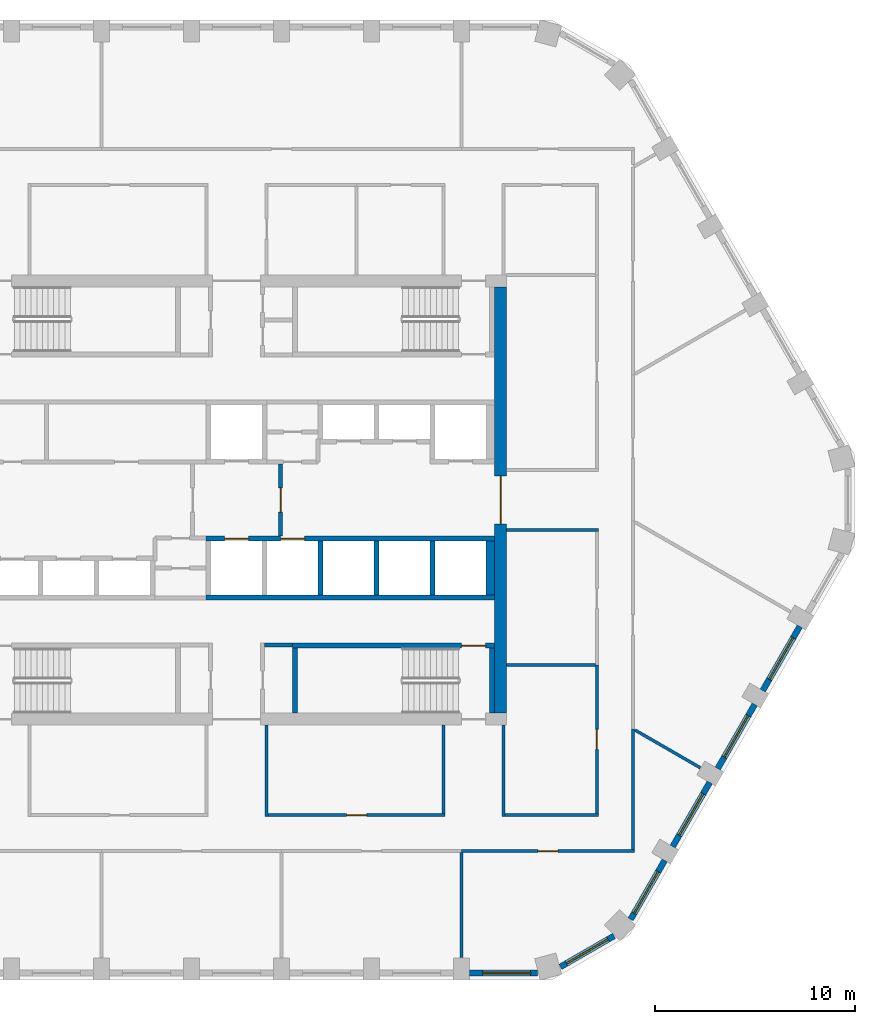
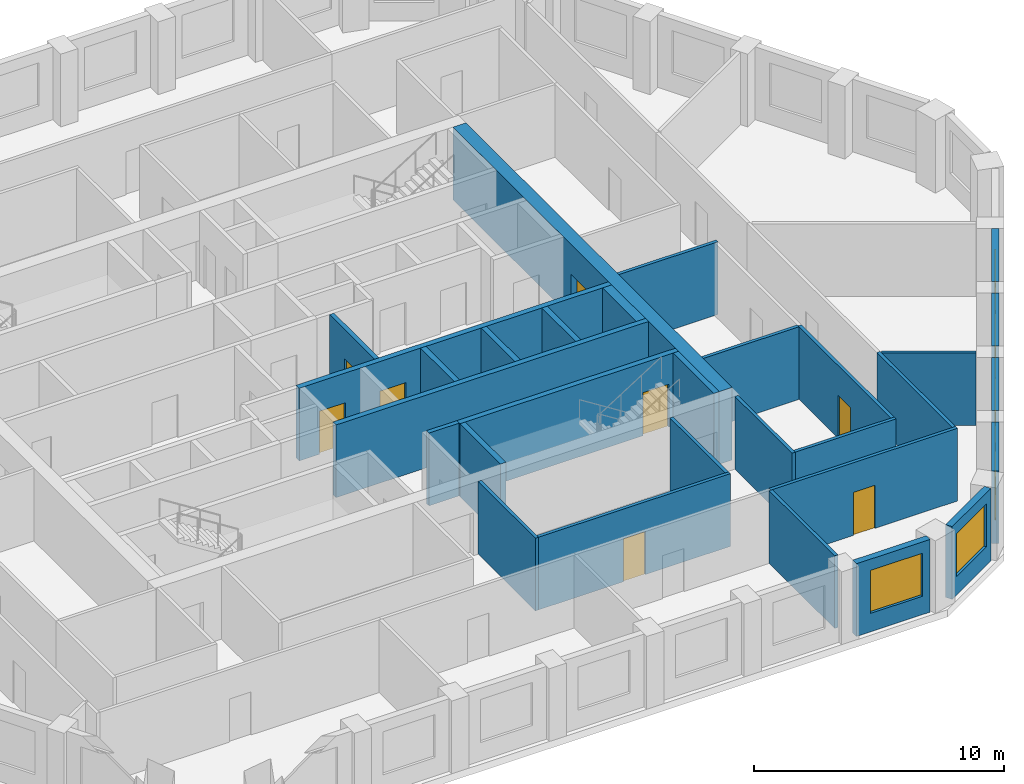
# One storey, part 4 of 9: 30 walls, 8 doors, 6 windows, 14 openings.
"""IFC4 building model written with IfcOpenShell, lengths in metres."""

from ifc_helpers import new_model, si_unit, direction, frame, frame_2d, origin, place, context, subcontext, project, spatial, polyline, rectangle, outline, extrude, material, layer, layer_set, type_object, element, fill, save


model = new_model("IFC4")

# Units and contexts
model_context = context("Model", 3, precision=1e-05, world=origin(), true_north=direction((0.0, 1.0)))
body_context = subcontext(model_context, "Body", "Model", "MODEL_VIEW")
ifc_project = project(units=[si_unit("LENGTHUNIT", "METRE"), si_unit("AREAUNIT", "SQUARE_METRE"), si_unit("VOLUMEUNIT", "CUBIC_METRE"), si_unit("PLANEANGLEUNIT", "RADIAN"), si_unit("MASSUNIT", "GRAM", prefix="KILO")], contexts=[model_context])

# Site, building, storey
site_placement = place(None, origin())
site = spatial("IfcSite", under=ifc_project, at=site_placement, CompositionType="ELEMENT")
building_placement = place(site_placement, origin())
building = spatial("IfcBuilding", under=site, at=building_placement, Name="Dhurran Vertical Campus", CompositionType="ELEMENT")
storey_placement = place(building_placement, frame((0.0, 0.0, 195.60009765625)))
storey = spatial("IfcBuildingStorey", under=building, at=storey_placement, Name="L48", CompositionType="ELEMENT", Elevation=195.60009765625)

# Wall, opening, window
ifc_material_1 = material(Name="Precast concrete C50/60", Category="concrete")
ifc_layer_1 = layer(ifc_material_1, 0.300048828125)
ifc_layer_set_1 = layer_set([ifc_layer_1], Name="Precast concrete C50/60")
wall_type_1 = type_object("IfcWallType", Name="Precast spandrel wall 300", PredefinedType="SOLIDWALL", material=ifc_layer_set_1)
wall_1_placement = place(storey_placement, frame((11.650390625, -23.635498046875, 0.0), z_axis=(0.0, 0.0, 1.0), x_axis=(1.0, 0.0, 0.0)))
wall_1 = element("IfcWall", 1, at=wall_1_placement, inside=storey, type_object=wall_type_1, Name="EW1 L48.06", PredefinedType="SOLIDWALL", context=body_context, shape_type="SweptSolid", body=[
    extrude(rectangle(XDim=3.39599609375, YDim=0.300048828125, at=frame_2d((1.697998046875, 0.0))), origin(), (0.0, 0.0, 1.0), 3.5498046875),
])
opening_1_placement = place(wall_1_placement, frame((0.6494140625, 0.0, 0.89990234375)))
opening_1 = element("IfcOpeningElement", 2, at=opening_1_placement, cuts=wall_1, Name="Opening WT1", PredefinedType="OPENING", context=body_context, shape_type="SweptSolid", body=[
    extrude(rectangle(XDim=2.39990234375, YDim=2.10009765625, at=frame_2d((1.199951171875, 1.050048828125))), frame((0.0, 0.159912109375, 0.0), z_axis=(0.0, -1.0, 0.0), x_axis=(1.0, 0.0, 0.0)), (0.0, 0.0, 1.0), 0.320068359375),
])
ifc_material_2 = material(Name="Aluminium frame with solar-control glass", Category="aluminium")
window_type = type_object("IfcWindowType", Name="Punched window 2400 x 2100", PartitioningType="SINGLE_PANEL", PredefinedType="WINDOW", material=ifc_material_2)
window_1_placement = place(opening_1_placement, origin())
window_1 = element("IfcWindow", 3, at=window_1_placement, inside=storey, type_object=window_type, Name="WT1 L48.06", OverallHeight=2.10009765625, OverallWidth=2.39990234375, PartitioningType="SINGLE_PANEL", PredefinedType="WINDOW", context=body_context, shape_type="SweptSolid", body=[
    extrude(rectangle(XDim=2.39990234375, YDim=2.10009765625, at=frame_2d((1.199951171875, 1.050048828125))), frame((0.0, 0.030029296875, 0.0), z_axis=(0.0, -1.0, 0.0), x_axis=(1.0, 0.0, 0.0)), (0.0, 0.0, 1.0), 0.06005859375),
])
fill(opening_1, window_1)

wall_2_placement = place(storey_placement, frame((16.184326171875, -23.330810546875, 0.0), z_axis=(0.0, 0.0, 1.0), x_axis=(0.865994975416, 0.500052699777, 0.0)))
wall_2 = element("IfcWall", 4, at=wall_2_placement, inside=storey, type_object=wall_type_1, Name="EW1 L48.07", PredefinedType="SOLIDWALL", context=body_context, shape_type="SweptSolid", body=[
    extrude(rectangle(XDim=3.093017578125, YDim=0.300048828125, at=frame_2d((1.54638671875, 0.0))), origin(), (0.0, 0.0, 1.0), 3.5498046875),
])
opening_2_placement = place(wall_2_placement, frame((0.346435546875, 0.0, 0.89990234375)))
opening_2 = element("IfcOpeningElement", 5, at=opening_2_placement, cuts=wall_2, Name="Opening WT1", PredefinedType="OPENING", context=body_context, shape_type="SweptSolid", body=[
    extrude(rectangle(XDim=2.39990234375, YDim=2.10009765625, at=frame_2d((1.199951171875, 1.050048828125))), frame((0.0, 0.159912109375, 0.0), z_axis=(0.0, -1.0, 0.0), x_axis=(1.0, 0.0, 0.0)), (0.0, 0.0, 1.0), 0.320068359375),
])
window_2_placement = place(opening_2_placement, origin())
window_2 = element("IfcWindow", 6, at=window_2_placement, inside=storey, type_object=window_type, Name="WT1 L48.07", OverallHeight=2.10009765625, OverallWidth=2.39990234375, PartitioningType="SINGLE_PANEL", PredefinedType="WINDOW", context=body_context, shape_type="SweptSolid", body=[
    extrude(rectangle(XDim=2.39990234375, YDim=2.10009765625, at=frame_2d((1.199951171875, 1.050048828125))), frame((0.0, 0.030029296875, 0.0), z_axis=(0.0, -1.0, 0.0), x_axis=(1.0, 0.0, 0.0)), (0.0, 0.0, 1.0), 0.06005859375),
])
fill(opening_2, window_2)

wall_3_placement = place(storey_placement, frame((19.69580078125, -20.951171875, 0.0), z_axis=(0.0, 0.0, 1.0), x_axis=(0.500012868213, 0.866017974191, 0.0)))
wall_3 = element("IfcWall", 7, at=wall_3_placement, inside=storey, type_object=wall_type_1, Name="EW1 L48.08", PredefinedType="SOLIDWALL", context=body_context, shape_type="SweptSolid", body=[
    extrude(rectangle(XDim=3.39599609375, YDim=0.300048828125, at=frame_2d((1.697998046875, 0.0))), origin(), (0.0, 0.0, 1.0), 3.5498046875),
])
opening_3_placement = place(wall_3_placement, frame((0.346435546875, 0.0, 0.89990234375)))
opening_3 = element("IfcOpeningElement", 8, at=opening_3_placement, cuts=wall_3, Name="Opening WT1", PredefinedType="OPENING", context=body_context, shape_type="SweptSolid", body=[
    extrude(rectangle(XDim=2.39990234375, YDim=2.10009765625, at=frame_2d((1.199951171875, 1.050048828125))), frame((0.0, 0.159912109375, 0.0), z_axis=(0.0, -1.0, 0.0), x_axis=(1.0, 0.0, 0.0)), (0.0, 0.0, 1.0), 0.320068359375),
])
window_3_placement = place(opening_3_placement, origin())
window_3 = element("IfcWindow", 9, at=window_3_placement, inside=storey, type_object=window_type, Name="WT1 L48.08", OverallHeight=2.10009765625, OverallWidth=2.39990234375, PartitioningType="SINGLE_PANEL", PredefinedType="WINDOW", context=body_context, shape_type="SweptSolid", body=[
    extrude(rectangle(XDim=2.39990234375, YDim=2.10009765625, at=frame_2d((1.199951171875, 1.050048828125))), frame((0.0, 0.030029296875, 0.0), z_axis=(0.0, -1.0, 0.0), x_axis=(1.0, 0.0, 0.0)), (0.0, 0.0, 1.0), 0.06005859375),
])
fill(opening_3, window_3)

wall_4_placement = place(storey_placement, frame((21.794189453125, -17.316650390625, 0.0), z_axis=(0.0, 0.0, 1.0), x_axis=(0.500029062817, 0.866008623709, 0.0)))
wall_4 = element("IfcWall", 10, at=wall_4_placement, inside=storey, type_object=wall_type_1, Name="EW1 L48.09", PredefinedType="SOLIDWALL", context=body_context, shape_type="SweptSolid", body=[
    extrude(rectangle(XDim=3.698974609375, YDim=0.300048828125, at=frame_2d((1.849609375, 0.0))), origin(), (0.0, 0.0, 1.0), 3.5498046875),
])
opening_4_placement = place(wall_4_placement, frame((0.6494140625, 0.0, 0.89990234375)))
opening_4 = element("IfcOpeningElement", 11, at=opening_4_placement, cuts=wall_4, Name="Opening WT1", PredefinedType="OPENING", context=body_context, shape_type="SweptSolid", body=[
    extrude(rectangle(XDim=2.39990234375, YDim=2.10009765625, at=frame_2d((1.199951171875, 1.050048828125))), frame((0.0, 0.159912109375, 0.0), z_axis=(0.0, -1.0, 0.0), x_axis=(1.0, 0.0, 0.0)), (0.0, 0.0, 1.0), 0.320068359375),
])
window_4_placement = place(opening_4_placement, origin())
window_4 = element("IfcWindow", 12, at=window_4_placement, inside=storey, type_object=window_type, Name="WT1 L48.09", OverallHeight=2.10009765625, OverallWidth=2.39990234375, PartitioningType="SINGLE_PANEL", PredefinedType="WINDOW", context=body_context, shape_type="SweptSolid", body=[
    extrude(rectangle(XDim=2.39990234375, YDim=2.10009765625, at=frame_2d((1.199951171875, 1.050048828125))), frame((0.0, 0.030029296875, 0.0), z_axis=(0.0, -1.0, 0.0), x_axis=(1.0, 0.0, 0.0)), (0.0, 0.0, 1.0), 0.06005859375),
])
fill(opening_4, window_4)

wall_5_placement = place(storey_placement, frame((24.044189453125, -13.41943359375, 0.0), z_axis=(0.0, 0.0, 1.0), x_axis=(0.500029062817, 0.866008623709, 0.0)))
wall_5 = element("IfcWall", 13, at=wall_5_placement, inside=storey, type_object=wall_type_1, Name="EW1 L48.10", PredefinedType="SOLIDWALL", context=body_context, shape_type="SweptSolid", body=[
    extrude(rectangle(XDim=3.698974609375, YDim=0.300048828125, at=frame_2d((1.849609375, 0.0))), origin(), (0.0, 0.0, 1.0), 3.5498046875),
])
opening_5_placement = place(wall_5_placement, frame((0.6494140625, 0.0, 0.89990234375)))
opening_5 = element("IfcOpeningElement", 14, at=opening_5_placement, cuts=wall_5, Name="Opening WT1", PredefinedType="OPENING", context=body_context, shape_type="SweptSolid", body=[
    extrude(rectangle(XDim=2.39990234375, YDim=2.10009765625, at=frame_2d((1.199951171875, 1.050048828125))), frame((0.0, 0.159912109375, 0.0), z_axis=(0.0, -1.0, 0.0), x_axis=(1.0, 0.0, 0.0)), (0.0, 0.0, 1.0), 0.320068359375),
])
window_5_placement = place(opening_5_placement, origin())
window_5 = element("IfcWindow", 15, at=window_5_placement, inside=storey, type_object=window_type, Name="WT1 L48.10", OverallHeight=2.10009765625, OverallWidth=2.39990234375, PartitioningType="SINGLE_PANEL", PredefinedType="WINDOW", context=body_context, shape_type="SweptSolid", body=[
    extrude(rectangle(XDim=2.39990234375, YDim=2.10009765625, at=frame_2d((1.199951171875, 1.050048828125))), frame((0.0, 0.030029296875, 0.0), z_axis=(0.0, -1.0, 0.0), x_axis=(1.0, 0.0, 0.0)), (0.0, 0.0, 1.0), 0.06005859375),
])
fill(opening_5, window_5)

wall_6_placement = place(storey_placement, frame((26.294189453125, -9.5224609375, 0.0), z_axis=(0.0, 0.0, 1.0), x_axis=(0.500029062817, 0.866008623709, 0.0)))
wall_6 = element("IfcWall", 16, at=wall_6_placement, inside=storey, type_object=wall_type_1, Name="EW1 L48.11", PredefinedType="SOLIDWALL", context=body_context, shape_type="SweptSolid", body=[
    extrude(rectangle(XDim=3.698974609375, YDim=0.300048828125, at=frame_2d((1.849609375, 0.0))), origin(), (0.0, 0.0, 1.0), 3.5498046875),
])
opening_6_placement = place(wall_6_placement, frame((0.6494140625, 0.0, 0.89990234375)))
opening_6 = element("IfcOpeningElement", 17, at=opening_6_placement, cuts=wall_6, Name="Opening WT1", PredefinedType="OPENING", context=body_context, shape_type="SweptSolid", body=[
    extrude(rectangle(XDim=2.39990234375, YDim=2.10009765625, at=frame_2d((1.199951171875, 1.050048828125))), frame((0.0, 0.159912109375, 0.0), z_axis=(0.0, -1.0, 0.0), x_axis=(1.0, 0.0, 0.0)), (0.0, 0.0, 1.0), 0.320068359375),
])
window_6_placement = place(opening_6_placement, origin())
window_6 = element("IfcWindow", 18, at=window_6_placement, inside=storey, type_object=window_type, Name="WT1 L48.11", OverallHeight=2.10009765625, OverallWidth=2.39990234375, PartitioningType="SINGLE_PANEL", PredefinedType="WINDOW", context=body_context, shape_type="SweptSolid", body=[
    extrude(rectangle(XDim=2.39990234375, YDim=2.10009765625, at=frame_2d((1.199951171875, 1.050048828125))), frame((0.0, 0.030029296875, 0.0), z_axis=(0.0, -1.0, 0.0), x_axis=(1.0, 0.0, 0.0)), (0.0, 0.0, 1.0), 0.06005859375),
])
fill(opening_6, window_6)

# Wall, opening, door
ifc_material_3 = material(Name="Concrete C50/60", Category="concrete")
ifc_layer_2 = layer(ifc_material_3, 0.60009765625)
ifc_layer_set_2 = layer_set([ifc_layer_2], Name="Concrete C50/60")
wall_type_2 = type_object("IfcWallType", Name="co-CORE-WALL-C2-600", PredefinedType="SHEAR", material=ifc_layer_set_2)
wall_7_placement = place(storey_placement, frame((13.199951171875, -10.64990234375, 0.0), z_axis=(0.0, 0.0, 1.0), x_axis=(0.0, 1.0, 0.0)))
wall_7 = element("IfcWall", 19, at=wall_7_placement, inside=storey, type_object=wall_type_2, Name="Core wall E L48", PredefinedType="SHEAR", context=body_context, shape_type="SweptSolid", body=[
    extrude(rectangle(XDim=21.2998046875, YDim=0.60009765625, at=frame_2d((10.64990234375, 0.0))), origin(), (0.0, 0.0, 1.0), 3.5498046875),
])
opening_7_placement = place(wall_7_placement, frame((9.449951171875, 0.0, 0.0)))
opening_7 = element("IfcOpeningElement", 20, at=opening_7_placement, cuts=wall_7, Name="Opening CL2", PredefinedType="OPENING", context=body_context, shape_type="SweptSolid", body=[
    extrude(rectangle(XDim=2.39990234375, YDim=2.10009765625, at=frame_2d((1.199951171875, 1.050048828125))), frame((0.0, 0.31005859375, 0.0), z_axis=(0.0, -1.0, 0.0), x_axis=(1.0, 0.0, 0.0)), (0.0, 0.0, 1.0), 0.6201171875),
])
ifc_material_4 = material(Name="Fire-rated glazed door set")
door_type_1 = type_object("IfcDoorType", Name="co-D-LOBBY 2400x2100", OperationType="DOUBLE_DOOR_DOUBLE_SWING", PredefinedType="DOOR", material=ifc_material_4)
door_1_placement = place(opening_7_placement, origin())
door_1 = element("IfcDoor", 21, at=door_1_placement, inside=storey, type_object=door_type_1, Name="Lift lobby door E L48", OperationType="DOUBLE_DOOR_DOUBLE_SWING", OverallHeight=2.10009765625, OverallWidth=2.39990234375, PredefinedType="DOOR", context=body_context, shape_type="SweptSolid", body=[
    extrude(rectangle(XDim=2.39990234375, YDim=2.10009765625, at=frame_2d((1.199951171875, 1.050048828125))), frame((0.0, 0.02490234375, 0.0), z_axis=(0.0, -1.0, 0.0), x_axis=(1.0, 0.0, 0.0)), (0.0, 0.0, 1.0), 0.050048828125),
])
fill(opening_7, door_1)

ifc_material_5 = material(Name="Fire-rated masonry blockwork", Category="masonry")
ifc_layer_3 = layer(ifc_material_5, 0.199951171875)
ifc_layer_set_3 = layer_set([ifc_layer_3], Name="Fire-rated masonry blockwork")
wall_type_3 = type_object("IfcWallType", Name="co-FIRE-PARTITION-200", PredefinedType="PARTITIONING", material=ifc_layer_set_3)
wall_8_placement = place(storey_placement, frame((2.199951171875, -1.800048828125, 0.0), z_axis=(0.0, 0.0, 1.0), x_axis=(0.0, 1.0, 0.0)))
wall_8 = element("IfcWall", 22, at=wall_8_placement, inside=storey, type_object=wall_type_3, Name="Firefighting lobby wall E L48", PredefinedType="PARTITIONING", context=body_context, shape_type="SweptSolid", body=[
    extrude(rectangle(XDim=3.60009765625, YDim=0.199951171875, at=frame_2d((1.800048828125, 0.0))), origin(), (0.0, 0.0, 1.0), 3.5498046875),
])
opening_8_placement = place(wall_8_placement, frame((1.199951171875, 0.0, 0.0)))
opening_8 = element("IfcOpeningElement", 23, at=opening_8_placement, cuts=wall_8, Name="Opening FL2", PredefinedType="OPENING", context=body_context, shape_type="SweptSolid", body=[
    extrude(rectangle(XDim=1.199951171875, YDim=2.10009765625, at=frame_2d((0.60009765625, 1.050048828125))), frame((0.0, 0.10986328125, 0.0), z_axis=(0.0, -1.0, 0.0), x_axis=(1.0, 0.0, 0.0)), (0.0, 0.0, 1.0), 0.219970703125),
])
ifc_material_6 = material(Name="Fire-rated steel door set", Category="steel")
door_type_2 = type_object("IfcDoorType", Name="co-D-FFLOBBY 1200x2100", OperationType="SINGLE_SWING_LEFT", PredefinedType="DOOR", material=ifc_material_6)
door_2_placement = place(opening_8_placement, origin())
door_2 = element("IfcDoor", 24, at=door_2_placement, inside=storey, type_object=door_type_2, Name="Firefighting lobby door E L48", OperationType="SINGLE_SWING_LEFT", OverallHeight=2.10009765625, OverallWidth=1.199951171875, PredefinedType="DOOR", context=body_context, shape_type="SweptSolid", body=[
    extrude(rectangle(XDim=1.199951171875, YDim=2.10009765625, at=frame_2d((0.60009765625, 1.050048828125))), frame((0.0, 0.02490234375, 0.0), z_axis=(0.0, -1.0, 0.0), x_axis=(1.0, 0.0, 0.0)), (0.0, 0.0, 1.0), 0.050048828125),
])
fill(opening_8, door_2)

# Wall
wall_9_placement = place(storey_placement, frame((1.39990234375, -7.25, 0.0), z_axis=(0.0, 0.0, 1.0), x_axis=(1.0, 0.0, 0.0)))
element("IfcWall", 25, at=wall_9_placement, inside=storey, type_object=wall_type_3, Name="Core partition sl-SE-S L48", PredefinedType="PARTITIONING", context=body_context, shape_type="SweptSolid", body=[
    extrude(rectangle(XDim=1.400146484375, YDim=0.199951171875, at=frame_2d((0.7001953125, 0.0))), origin(), (0.0, 0.0, 1.0), 3.5498046875),
])

# Wall, openings, doors
ifc_material_7 = material(Name="Concrete C50/60", Category="concrete")
ifc_layer_4 = layer(ifc_material_7, 0.25)
ifc_layer_set_4 = layer_set([ifc_layer_4], Name="Concrete C50/60")
wall_type_4 = type_object("IfcWallType", Name="co-SHAFT-FRONT-250", PredefinedType="SHEAR", material=ifc_layer_set_4)
wall_10_placement = place(storey_placement, frame((-1.52490234375, -1.925048828125, 0.0), z_axis=(0.0, 0.0, 1.0), x_axis=(1.0, 0.0, 0.0)))
wall_10 = element("IfcWall", 26, at=wall_10_placement, inside=storey, type_object=wall_type_4, Name="Lift landing wall S L48", PredefinedType="SHEAR", context=body_context, shape_type="SweptSolid", body=[
    extrude(rectangle(XDim=14.4248046875, YDim=0.25, at=frame_2d((7.21240234375, 0.0))), origin(), (0.0, 0.0, 1.0), 3.5498046875),
])
opening_9_placement = place(wall_10_placement, frame((0.925048828125, 0.0, 0.0)))
opening_9 = element("IfcOpeningElement", 27, at=opening_9_placement, cuts=wall_10, Name="Opening LD", PredefinedType="OPENING", context=body_context, shape_type="SweptSolid", body=[
    extrude(rectangle(XDim=1.199951171875, YDim=2.10009765625, at=frame_2d((0.60009765625, 1.050048828125))), frame((0.0, 0.135009765625, 0.0), z_axis=(0.0, -1.0, 0.0), x_axis=(1.0, 0.0, 0.0)), (0.0, 0.0, 1.0), 0.27001953125),
])
opening_10_placement = place(wall_10_placement, frame((3.72509765625, 0.0, 0.0)))
opening_10 = element("IfcOpeningElement", 28, at=opening_10_placement, cuts=wall_10, Name="Opening LD", PredefinedType="OPENING", context=body_context, shape_type="SweptSolid", body=[
    extrude(rectangle(XDim=1.199951171875, YDim=2.10009765625, at=frame_2d((0.60009765625, 1.050048828125))), frame((0.0, 0.135009765625, 0.0), z_axis=(0.0, -1.0, 0.0), x_axis=(1.0, 0.0, 0.0)), (0.0, 0.0, 1.0), 0.27001953125),
])
ifc_material_8 = material(Name="Stainless steel landing door", Category="steel")
door_type_3 = type_object("IfcDoorType", Name="co-D-LANDING 1200x2100", OperationType="DOUBLE_DOOR_SLIDING", PredefinedType="DOOR", material=ifc_material_8)
door_3_placement = place(opening_9_placement, origin())
door_3 = element("IfcDoor", 29, at=door_3_placement, inside=storey, type_object=door_type_3, Name="Landing door FF2 L48", OperationType="DOUBLE_DOOR_SLIDING", OverallHeight=2.10009765625, OverallWidth=1.199951171875, PredefinedType="DOOR", context=body_context, shape_type="SweptSolid", body=[
    extrude(rectangle(XDim=1.199951171875, YDim=2.10009765625, at=frame_2d((0.60009765625, 1.050048828125))), frame((0.0, 0.02490234375, 0.0), z_axis=(0.0, -1.0, 0.0), x_axis=(1.0, 0.0, 0.0)), (0.0, 0.0, 1.0), 0.050048828125),
])
fill(opening_9, door_3)
door_4_placement = place(opening_10_placement, origin())
door_4 = element("IfcDoor", 30, at=door_4_placement, inside=storey, type_object=door_type_3, Name="Landing door SV1 L48", OperationType="DOUBLE_DOOR_SLIDING", OverallHeight=2.10009765625, OverallWidth=1.199951171875, PredefinedType="DOOR", context=body_context, shape_type="SweptSolid", body=[
    extrude(rectangle(XDim=1.199951171875, YDim=2.10009765625, at=frame_2d((0.60009765625, 1.050048828125))), frame((0.0, 0.02490234375, 0.0), z_axis=(0.0, -1.0, 0.0), x_axis=(1.0, 0.0, 0.0)), (0.0, 0.0, 1.0), 0.050048828125),
])
fill(opening_10, door_4)

# Walls
ifc_material_9 = material(Name="Concrete C50/60", Category="concrete")
ifc_layer_5 = layer(ifc_material_9, 0.25)
ifc_layer_set_5 = layer_set([ifc_layer_5], Name="Concrete C50/60")
wall_type_5 = type_object("IfcWallType", Name="co-SHAFT-MASS-250", PredefinedType="SHEAR", material=ifc_layer_set_5)
wall_11_placement = place(storey_placement, origin())
element("IfcWall", 31, at=wall_11_placement, inside=storey, type_object=wall_type_5, Name="Lift shaft wall S L48 2", PredefinedType="SHEAR", context=body_context, shape_type="SweptSolid", body=[
    extrude(outline(polyline([(-1.52490234375, -5.0), (12.89990234375, -5.0), (12.89990234375, -4.75), (-1.52490234375, -4.75), (-1.52490234375, -5.0)])), origin(), (0.0, 0.0, 1.0), 3.5498046875),
])
wall_12_placement = place(storey_placement, origin())
element("IfcWall", 32, at=wall_12_placement, inside=storey, type_object=wall_type_5, Name="Lift shaft wall S L48 9", PredefinedType="SHEAR", context=body_context, shape_type="SweptSolid", body=[
    extrude(outline(polyline([(4.074951171875, -4.75), (4.324951171875, -4.75), (4.324951171875, -2.050048828125), (4.074951171875, -2.050048828125), (4.074951171875, -4.75)])), origin(), (0.0, 0.0, 1.0), 3.5498046875),
])
wall_13_placement = place(storey_placement, origin())
element("IfcWall", 33, at=wall_13_placement, inside=storey, type_object=wall_type_5, Name="Lift shaft wall S L48 10", PredefinedType="SHEAR", context=body_context, shape_type="SweptSolid", body=[
    extrude(outline(polyline([(6.875, -4.75), (7.125, -4.75), (7.125, -2.050048828125), (6.875, -2.050048828125), (6.875, -4.75)])), origin(), (0.0, 0.0, 1.0), 3.5498046875),
])
wall_14_placement = place(storey_placement, origin())
element("IfcWall", 34, at=wall_14_placement, inside=storey, type_object=wall_type_5, Name="Lift shaft wall S L48 11", PredefinedType="SHEAR", context=body_context, shape_type="SweptSolid", body=[
    extrude(outline(polyline([(9.675048828125, -4.75), (9.925048828125, -4.75), (9.925048828125, -2.050048828125), (9.675048828125, -2.050048828125), (9.675048828125, -4.75)])), origin(), (0.0, 0.0, 1.0), 3.5498046875),
])
wall_15_placement = place(storey_placement, origin())
element("IfcWall", 35, at=wall_15_placement, inside=storey, type_object=wall_type_5, Name="Lift shaft wall S L48 12", PredefinedType="SHEAR", context=body_context, shape_type="SweptSolid", body=[
    extrude(outline(polyline([(12.47509765625, -4.75), (12.89990234375, -4.75), (12.89990234375, -2.050048828125), (12.47509765625, -2.050048828125), (12.47509765625, -4.75)])), origin(), (0.0, 0.0, 1.0), 3.5498046875),
])

# Wall, opening, door
ifc_material_10 = material(Name="Concrete C40/50", Category="concrete")
ifc_layer_6 = layer(ifc_material_10, 0.25)
ifc_layer_set_6 = layer_set([ifc_layer_6], Name="Concrete C40/50")
wall_type_6 = type_object("IfcWallType", Name="co-STAIR-WALL-250", PredefinedType="SHEAR", material=ifc_layer_set_6)
wall_16_placement = place(storey_placement, frame((2.800048828125, -7.27490234375, 0.0), z_axis=(0.0, 0.0, 1.0), x_axis=(1.0, 0.0, 0.0)))
wall_16 = element("IfcWall", 36, at=wall_16_placement, inside=storey, type_object=wall_type_6, Name="Stair ST4 enclosure wall L48", PredefinedType="SHEAR", context=body_context, shape_type="SweptSolid", body=[
    extrude(rectangle(XDim=10.099853515625, YDim=0.25, at=frame_2d((5.0498046875, 0.0))), origin(), (0.0, 0.0, 1.0), 3.5498046875),
])
opening_11_placement = place(wall_16_placement, frame((8.449951171875, 0.0, 0.0)))
opening_11 = element("IfcOpeningElement", 37, at=opening_11_placement, cuts=wall_16, Name="Opening SD4", PredefinedType="OPENING", context=body_context, shape_type="SweptSolid", body=[
    extrude(rectangle(XDim=1.199951171875, YDim=2.10009765625, at=frame_2d((0.60009765625, 1.050048828125))), frame((0.0, 0.135009765625, 0.0), z_axis=(0.0, -1.0, 0.0), x_axis=(1.0, 0.0, 0.0)), (0.0, 0.0, 1.0), 0.27001953125),
])
ifc_material_11 = material(Name="Fire-rated steel door set", Category="steel")
door_type_4 = type_object("IfcDoorType", Name="co-D-STAIR 1200x2100", OperationType="SINGLE_SWING_LEFT", PredefinedType="DOOR", material=ifc_material_11)
door_5_placement = place(opening_11_placement, origin())
door_5 = element("IfcDoor", 38, at=door_5_placement, inside=storey, type_object=door_type_4, Name="Stair ST4 door L48", OperationType="SINGLE_SWING_LEFT", OverallHeight=2.10009765625, OverallWidth=1.199951171875, PredefinedType="DOOR", context=body_context, shape_type="SweptSolid", body=[
    extrude(rectangle(XDim=1.199951171875, YDim=2.10009765625, at=frame_2d((0.60009765625, 1.050048828125))), frame((0.0, 0.02490234375, 0.0), z_axis=(0.0, -1.0, 0.0), x_axis=(1.0, 0.0, 0.0)), (0.0, 0.0, 1.0), 0.050048828125),
])
fill(opening_11, door_5)

# Walls
for number, where, z_axis, x_axis, name in (
    (39, (2.925048828125, -10.64990234375, 0.0), (0.0, 0.0, 1.0), (0.0, 1.0, 0.0), "Stair ST4 enclosure wall L48"),
    (40, (12.77490234375, -10.64990234375, 0.0), (0.0, 0.0, 1.0), (0.0, 1.0, 0.0), "Stair ST4 enclosure wall L48"),
):
    element("IfcWall", number, at=place(storey_placement, frame(where, z_axis=z_axis, x_axis=x_axis)), inside=storey, type_object=wall_type_6, Name=name, PredefinedType="SHEAR", context=body_context, shape_type="SweptSolid", body=[
        extrude(rectangle(XDim=3.25, YDim=0.25, at=frame_2d((1.625, 0.0))), origin(), (0.0, 0.0, 1.0), 3.5498046875),
    ])
ifc_material_12 = material(Name="Gypsum board corridor wall on steel studs", Category="steel")
ifc_layer_7 = layer(ifc_material_12, 0.14990234375)
ifc_layer_set_7 = layer_set([ifc_layer_7], Name="Gypsum board corridor wall on steel studs")
wall_type_7 = type_object("IfcWallType", Name="fl-CW-150 corridor wall", PredefinedType="PARTITIONING", material=ifc_layer_set_7)
wall_17_placement = place(storey_placement, frame((1.5, -15.824951171875, 0.0), z_axis=(0.0, 0.0, 1.0), x_axis=(0.0, 1.0, 0.0)))
element("IfcWall", 41, at=wall_17_placement, inside=storey, type_object=wall_type_7, Name="Partition 48-36", PredefinedType="PARTITIONING", context=body_context, shape_type="SweptSolid", body=[
    extrude(rectangle(XDim=4.574951171875, YDim=0.14990234375, at=frame_2d((2.28759765625, 0.0))), origin(), (0.0, 0.0, 1.0), 3.5498046875),
])

# Wall, opening, door
wall_18_placement = place(storey_placement, frame((10.425048828125, -15.75, 0.0), z_axis=(0.0, 0.0, 1.0), x_axis=(-1.0, 0.0, 0.0)))
wall_18 = element("IfcWall", 42, at=wall_18_placement, inside=storey, type_object=wall_type_7, Name="Partition 48-37", PredefinedType="PARTITIONING", context=body_context, shape_type="SweptSolid", body=[
    extrude(rectangle(XDim=8.85009765625, YDim=0.14990234375, at=frame_2d((4.425048828125, 0.0))), origin(), (0.0, 0.0, 1.0), 3.5498046875),
])
opening_12_placement = place(wall_18_placement, frame((3.925048828125, 0.0, 0.0)))
opening_12 = element("IfcOpeningElement", 43, at=opening_12_placement, cuts=wall_18, Name="Opening T14.16", PredefinedType="OPENING", context=body_context, shape_type="SweptSolid", body=[
    extrude(rectangle(XDim=1.0, YDim=2.10009765625, at=frame_2d((0.5, 1.050048828125))), frame((0.0, 0.0849609375, 0.0), z_axis=(0.0, -1.0, 0.0), x_axis=(1.0, 0.0, 0.0)), (0.0, 0.0, 1.0), 0.169921875),
])
ifc_material_13 = material(Name="Solid-core timber door set, fire-rated", Category="wood")
door_type_5 = type_object("IfcDoorType", Name="fl-D-1000x2100", OperationType="SINGLE_SWING_LEFT", PredefinedType="DOOR", material=ifc_material_13)
door_6_placement = place(opening_12_placement, origin())
door_6 = element("IfcDoor", 44, at=door_6_placement, inside=storey, type_object=door_type_5, Name="Door 48.16", OperationType="SINGLE_SWING_RIGHT", OverallHeight=2.10009765625, OverallWidth=1.0, PredefinedType="DOOR", context=body_context, shape_type="SweptSolid", body=[
    extrude(rectangle(XDim=1.0, YDim=2.10009765625, at=frame_2d((0.5, 1.050048828125))), frame((0.0, 0.02490234375, 0.0), z_axis=(0.0, -1.0, 0.0), x_axis=(1.0, 0.0, 0.0)), (0.0, 0.0, 1.0), 0.050048828125),
])
fill(opening_12, door_6)

# Wall
wall_19_placement = place(storey_placement, frame((10.35009765625, -11.25, 0.0), z_axis=(0.0, 0.0, 1.0), x_axis=(0.0, -1.0, 0.0)))
element("IfcWall", 45, at=wall_19_placement, inside=storey, type_object=wall_type_7, Name="Partition 48-44", PredefinedType="PARTITIONING", context=body_context, shape_type="SweptSolid", body=[
    extrude(rectangle(XDim=4.425048828125, YDim=0.14990234375, at=frame_2d((2.21240234375, 0.0))), origin(), (0.0, 0.0, 1.0), 3.5498046875),
])

# Wall, opening, door
wall_20_placement = place(storey_placement, frame((11.25, -17.550048828125, 0.0), z_axis=(0.0, 0.0, 1.0), x_axis=(1.0, 0.0, 0.0)))
wall_20 = element("IfcWall", 46, at=wall_20_placement, inside=storey, type_object=wall_type_7, Name="Partition 48-47", PredefinedType="PARTITIONING", context=body_context, shape_type="SweptSolid", body=[
    extrude(rectangle(XDim=8.625, YDim=0.14990234375, at=frame_2d((4.3125, 0.0))), origin(), (0.0, 0.0, 1.0), 3.5498046875),
])
opening_13_placement = place(wall_20_placement, frame((3.8125, 0.0, 0.0)))
opening_13 = element("IfcOpeningElement", 47, at=opening_13_placement, cuts=wall_20, Name="Opening T14.24", PredefinedType="OPENING", context=body_context, shape_type="SweptSolid", body=[
    extrude(rectangle(XDim=1.0, YDim=2.10009765625, at=frame_2d((0.5, 1.050048828125))), frame((0.0, 0.0849609375, 0.0), z_axis=(0.0, -1.0, 0.0), x_axis=(1.0, 0.0, 0.0)), (0.0, 0.0, 1.0), 0.169921875),
])
door_7_placement = place(opening_13_placement, origin())
door_7 = element("IfcDoor", 48, at=door_7_placement, inside=storey, type_object=door_type_5, Name="Door 48.24", OperationType="SINGLE_SWING_RIGHT", OverallHeight=2.10009765625, OverallWidth=1.0, PredefinedType="DOOR", context=body_context, shape_type="SweptSolid", body=[
    extrude(rectangle(XDim=1.0, YDim=2.10009765625, at=frame_2d((0.5, 1.050048828125))), frame((0.0, 0.02490234375, 0.0), z_axis=(0.0, -1.0, 0.0), x_axis=(1.0, 0.0, 0.0)), (0.0, 0.0, 1.0), 0.050048828125),
])
fill(opening_13, door_7)

# Walls
wall_21_placement = place(storey_placement, frame((13.35009765625, -15.824951171875, 0.0), z_axis=(0.0, 0.0, 1.0), x_axis=(0.0, 1.0, 0.0)))
element("IfcWall", 49, at=wall_21_placement, inside=storey, type_object=wall_type_7, Name="Partition 48-50", PredefinedType="PARTITIONING", context=body_context, shape_type="SweptSolid", body=[
    extrude(rectangle(XDim=4.574951171875, YDim=0.14990234375, at=frame_2d((2.28759765625, 0.0))), origin(), (0.0, 0.0, 1.0), 3.5498046875),
])
wall_22_placement = place(storey_placement, frame((18.074951171875, -15.75, 0.0), z_axis=(0.0, 0.0, 1.0), x_axis=(-1.0, 0.0, 0.0)))
element("IfcWall", 50, at=wall_22_placement, inside=storey, type_object=wall_type_7, Name="Partition 48-51", PredefinedType="PARTITIONING", context=body_context, shape_type="SweptSolid", body=[
    extrude(rectangle(XDim=4.64990234375, YDim=0.14990234375, at=frame_2d((2.324951171875, 0.0))), origin(), (0.0, 0.0, 1.0), 3.5498046875),
])
wall_23_placement = place(storey_placement, frame((13.5, -1.5, 0.0), z_axis=(0.0, 0.0, 1.0), x_axis=(1.0, 0.0, 0.0)))
element("IfcWall", 51, at=wall_23_placement, inside=storey, type_object=wall_type_7, Name="Partition 48-55", PredefinedType="PARTITIONING", context=body_context, shape_type="SweptSolid", body=[
    extrude(rectangle(XDim=4.574951171875, YDim=0.14990234375, at=frame_2d((2.28759765625, 0.0))), origin(), (0.0, 0.0, 1.0), 3.5498046875),
])

# Wall, opening, door
wall_24_placement = place(storey_placement, frame((18.0, -8.25, 0.0), z_axis=(0.0, 0.0, 1.0), x_axis=(0.0, -1.0, 0.0)))
wall_24 = element("IfcWall", 52, at=wall_24_placement, inside=storey, type_object=wall_type_7, Name="Partition 48-58", PredefinedType="PARTITIONING", context=body_context, shape_type="SweptSolid", body=[
    extrude(rectangle(XDim=7.425048828125, YDim=0.14990234375, at=frame_2d((3.71240234375, 0.0))), origin(), (0.0, 0.0, 1.0), 3.5498046875),
])
opening_14_placement = place(wall_24_placement, frame((3.21240234375, 0.0, 0.0)))
opening_14 = element("IfcOpeningElement", 53, at=opening_14_placement, cuts=wall_24, Name="Opening T14.21", PredefinedType="OPENING", context=body_context, shape_type="SweptSolid", body=[
    extrude(rectangle(XDim=1.0, YDim=2.10009765625, at=frame_2d((0.5, 1.050048828125))), frame((0.0, 0.0849609375, 0.0), z_axis=(0.0, -1.0, 0.0), x_axis=(1.0, 0.0, 0.0)), (0.0, 0.0, 1.0), 0.169921875),
])
door_8_placement = place(opening_14_placement, origin())
door_8 = element("IfcDoor", 54, at=door_8_placement, inside=storey, type_object=door_type_5, Name="Door 48.21", OperationType="SINGLE_SWING_RIGHT", OverallHeight=2.10009765625, OverallWidth=1.0, PredefinedType="DOOR", context=body_context, shape_type="SweptSolid", body=[
    extrude(rectangle(XDim=1.0, YDim=2.10009765625, at=frame_2d((0.5, 1.050048828125))), frame((0.0, 0.02490234375, 0.0), z_axis=(0.0, -1.0, 0.0), x_axis=(1.0, 0.0, 0.0)), (0.0, 0.0, 1.0), 0.050048828125),
])
fill(opening_14, door_8)

# Walls
wall_25_placement = place(storey_placement, frame((19.800048828125, -17.47509765625, 0.0), z_axis=(0.0, 0.0, 1.0), x_axis=(0.0, 1.0, 0.0)))
element("IfcWall", 55, at=wall_25_placement, inside=storey, type_object=wall_type_7, Name="Partition 48-62", PredefinedType="PARTITIONING", context=body_context, shape_type="SweptSolid", body=[
    extrude(rectangle(XDim=6.043212890625, YDim=0.14990234375, at=frame_2d((3.021484375, 0.0))), origin(), (0.0, 0.0, 1.0), 3.5498046875),
])
ifc_material_14 = material(Name="Gypsum board partition on steel studs", Category="steel")
ifc_layer_8 = layer(ifc_material_14, 0.14990234375)
ifc_layer_set_8 = layer_set([ifc_layer_8], Name="Gypsum board partition on steel studs")
wall_type_8 = type_object("IfcWallType", Name="fl-PW-150 fixed partition", PredefinedType="PARTITIONING", material=ifc_layer_set_8)
wall_26_placement = place(storey_placement, frame((11.25, -17.625, 0.0), z_axis=(0.0, 0.0, 1.0), x_axis=(0.0, -1.0, 0.0)))
element("IfcWall", 56, at=wall_26_placement, inside=storey, type_object=wall_type_8, Name="Partition 48-46", PredefinedType="PARTITIONING", context=body_context, shape_type="SweptSolid", body=[
    extrude(rectangle(XDim=5.240478515625, YDim=0.14990234375, at=frame_2d((2.6201171875, 0.0))), origin(), (0.0, 0.0, 1.0), 3.5498046875),
])
wall_27_placement = place(storey_placement, frame((13.5, -8.25, 0.0), z_axis=(0.0, 0.0, 1.0), x_axis=(1.0, 0.0, 0.0)))
element("IfcWall", 57, at=wall_27_placement, inside=storey, type_object=wall_type_8, Name="Partition 48-54", PredefinedType="PARTITIONING", context=body_context, shape_type="SweptSolid", body=[
    extrude(rectangle(XDim=4.425048828125, YDim=0.14990234375, at=frame_2d((2.21240234375, 0.0))), origin(), (0.0, 0.0, 1.0), 3.5498046875),
])
wall_28_placement = place(storey_placement, frame((19.91259765625, -11.4970703125, 0.0), z_axis=(0.0, 0.0, 1.0), x_axis=(0.866090681374, -0.499886918849, 0.0)))
element("IfcWall", 58, at=wall_28_placement, inside=storey, type_object=wall_type_8, Name="Partition 48-64", PredefinedType="PARTITIONING", context=body_context, shape_type="SweptSolid", body=[
    extrude(rectangle(XDim=3.769287109375, YDim=0.14990234375, at=frame_2d((1.884765625, 0.0))), origin(), (0.0, 0.0, 1.0), 3.5498046875),
])

save(model, "model.ifc")
